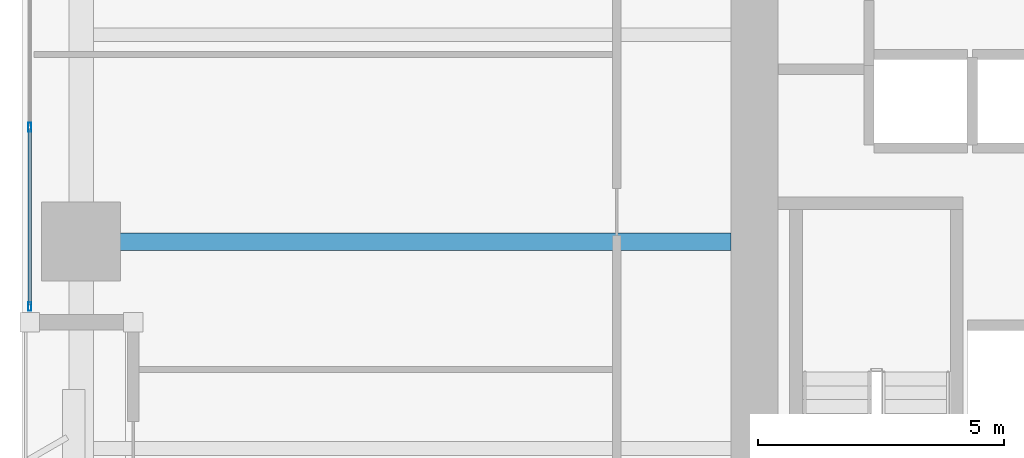
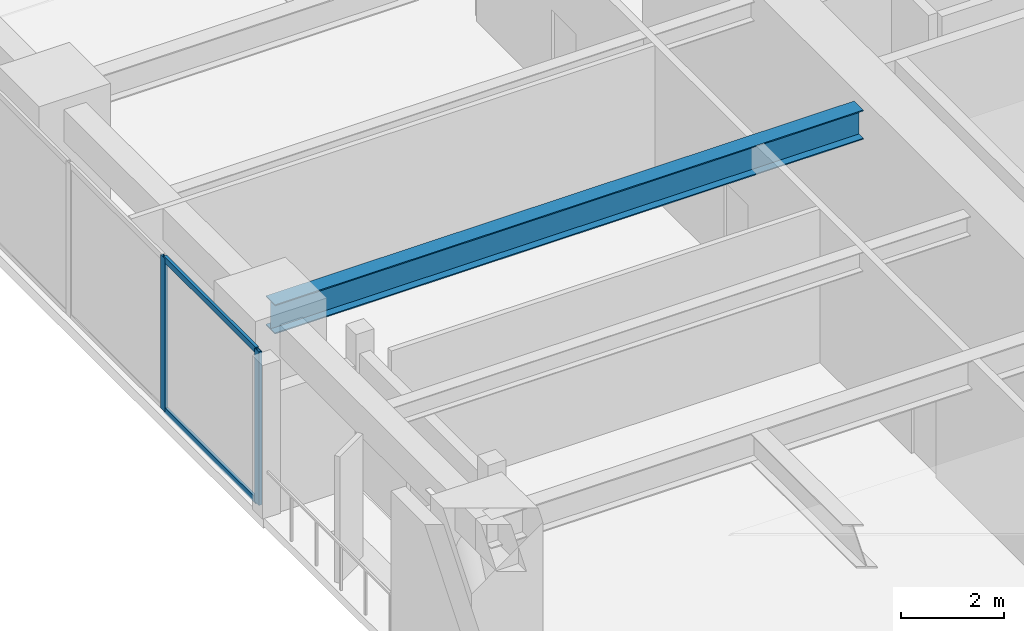
# One storey, part 2 of 28: 4 members, 1 beam, 1 element without a shape of its own.
"""IFC4 building model written with IfcOpenShell, lengths in metres."""

from ifc_helpers import new_model, si_unit, direction, frame, origin, origin_2d, place, context, subcontext, project, spatial, hollow_rectangle, i_section, extrude, material, layer, layer_set, material_profile, profile_set, type_object, element, aggregate, save


model = new_model("IFC4")

# Units and contexts
model_context = context("Model", 3, precision=1e-05, world=origin(), true_north=direction((0.0, 1.0)))
body_context = subcontext(model_context, "Body", "Model", "MODEL_VIEW")
ifc_project = project(units=[si_unit("LENGTHUNIT", "METRE"), si_unit("AREAUNIT", "SQUARE_METRE"), si_unit("VOLUMEUNIT", "CUBIC_METRE"), si_unit("PLANEANGLEUNIT", "RADIAN"), si_unit("MASSUNIT", "GRAM", prefix="KILO")], contexts=[model_context])

# Site, building, storey
site_placement = place(None, origin())
site = spatial("IfcSite", under=ifc_project, at=site_placement, CompositionType="ELEMENT")
building_placement = place(site_placement, origin())
building = spatial("IfcBuilding", under=site, at=building_placement, Name="Kiyonajd Concourse Tower", CompositionType="ELEMENT")
storey_placement = place(building_placement, frame((0.0, 0.0, 41.10009765625)))
storey = spatial("IfcBuildingStorey", under=building, at=storey_placement, Name="L11", CompositionType="ELEMENT", Elevation=41.10009765625)

# Beam
ifc_material_1 = material(Name="Steel ASTM A992 Grade 50", Category="steel")
ifc_material_profile_1 = material_profile(ifc_material_1, i_section(OverallWidth=0.35498046875, OverallDepth=0.695068359375, WebThickness=0.015380859375, FlangeThickness=0.02490234375, at=origin_2d()), Name="W690X217")
ifc_profile_set_1 = profile_set([ifc_material_profile_1], Name="Steel ASTM A992 Grade 50")
beam_type = type_object("IfcBeamType", Name="BM-TWR-690", PredefinedType="BEAM", material=ifc_profile_set_1)
beam_placement = place(storey_placement, frame((19.199951171875, 36.0, 3.29248046875), z_axis=(1.0, 0.0, 0.0), x_axis=(0.0, 1.0, 0.0)))
element("IfcBeam", 1, at=beam_placement, inside=storey, type_object=beam_type, Name="L11 West Lease Girder", PredefinedType="BEAM", context=body_context, shape_type="SweptSolid", body=[
    extrude(i_section(OverallWidth=0.35498046875, OverallDepth=0.695068359375, WebThickness=0.015380859375, FlangeThickness=0.02490234375, at=origin_2d()), origin(), (0.0, 0.0, 1.0), 13.199951171875),
])

# Curtain wall, members
ifc_material_2 = material(Name="Thermally Broken Anodised Aluminium", Category="aluminium")
ifc_layer = layer(ifc_material_2, 0.179931640625)
ifc_layer_set = layer_set([ifc_layer], Name="Thermally Broken Anodised Aluminium")
curtain_wall_type = type_object("IfcCurtainWallType", Name="CW-SYS-02", PredefinedType="NOTDEFINED", material=ifc_layer_set)
curtain_wall_placement = place(storey_placement, origin())
curtain_wall = element("IfcCurtainWall", 2, at=curtain_wall_placement, inside=storey, type_object=curtain_wall_type, Name="L11 Unitised Curtain Wall CW2", PredefinedType="NOTDEFINED")
ifc_material_profile_2 = material_profile(ifc_material_2, hollow_rectangle(XDim=0.06494140625, YDim=0.179931640625, WallThickness=0.00390625, at=origin_2d()), Name="MULL-65x180")
ifc_profile_set_2 = profile_set([ifc_material_profile_2], Name="Thermally Broken Anodised Aluminium")
member_type_1 = type_object("IfcMemberType", Name="MB-CW-MULL1", PredefinedType="MULLION", material=ifc_profile_set_2)
member_1_placement = place(storey_placement, frame((18.159912109375, 34.6826171875, 0.0), z_axis=(0.0, 0.0, 1.0), x_axis=(-1.0, 0.0, 0.0)))
member_1 = element("IfcMember", 3, at=member_1_placement, type_object=member_type_1, Name="CW2 mullion 1", PredefinedType="MULLION", context=body_context, shape_type="SweptSolid", body=[
    extrude(hollow_rectangle(XDim=0.06494140625, YDim=0.179931640625, WallThickness=0.00390625, at=origin_2d()), origin(), (0.0, 0.0, 1.0), 3.639892578125),
])
member_2_placement = place(storey_placement, frame((18.159912109375, 38.3232421875, 0.0), z_axis=(0.0, 0.0, 1.0), x_axis=(-1.0, 0.0, 0.0)))
member_2 = element("IfcMember", 4, at=member_2_placement, type_object=member_type_1, Name="CW2 mullion 2", PredefinedType="MULLION", context=body_context, shape_type="SweptSolid", body=[
    extrude(hollow_rectangle(XDim=0.06494140625, YDim=0.179931640625, WallThickness=0.00390625, at=origin_2d()), origin(), (0.0, 0.0, 1.0), 3.639892578125),
])
ifc_material_profile_3 = material_profile(ifc_material_2, hollow_rectangle(XDim=0.06494140625, YDim=0.139892578125, WallThickness=0.00390625, at=origin_2d()), Name="TRAN-65x140")
ifc_profile_set_3 = profile_set([ifc_material_profile_3], Name="Thermally Broken Anodised Aluminium")
member_type_2 = type_object("IfcMemberType", Name="MB-CW-TRAN1", PredefinedType="USERDEFINED", material=ifc_profile_set_3)
member_3_placement = place(storey_placement, frame((18.159912109375, 34.715087890625, 0.032470703125), z_axis=(0.0, 1.0, 0.0), x_axis=(-1.0, 0.0, 0.0)))
member_3 = element("IfcMember", 5, at=member_3_placement, type_object=member_type_2, Name="CW2 transom 1.1", ObjectType="TRANSOM", PredefinedType="USERDEFINED", context=body_context, shape_type="SweptSolid", body=[
    extrude(hollow_rectangle(XDim=0.06494140625, YDim=0.139892578125, WallThickness=0.00390625, at=origin_2d()), origin(), (0.0, 0.0, 1.0), 3.57568359375),
])
member_4_placement = place(storey_placement, frame((18.159912109375, 34.715087890625, 3.607421875), z_axis=(0.0, 1.0, 0.0), x_axis=(-1.0, 0.0, 0.0)))
member_4 = element("IfcMember", 6, at=member_4_placement, type_object=member_type_2, Name="CW2 transom 1.2", ObjectType="TRANSOM", PredefinedType="USERDEFINED", context=body_context, shape_type="SweptSolid", body=[
    extrude(hollow_rectangle(XDim=0.06494140625, YDim=0.139892578125, WallThickness=0.00390625, at=origin_2d()), origin(), (0.0, 0.0, 1.0), 3.57568359375),
])
aggregate(curtain_wall, [member_1, member_2, member_3, member_4])

save(model, "model.ifc")
